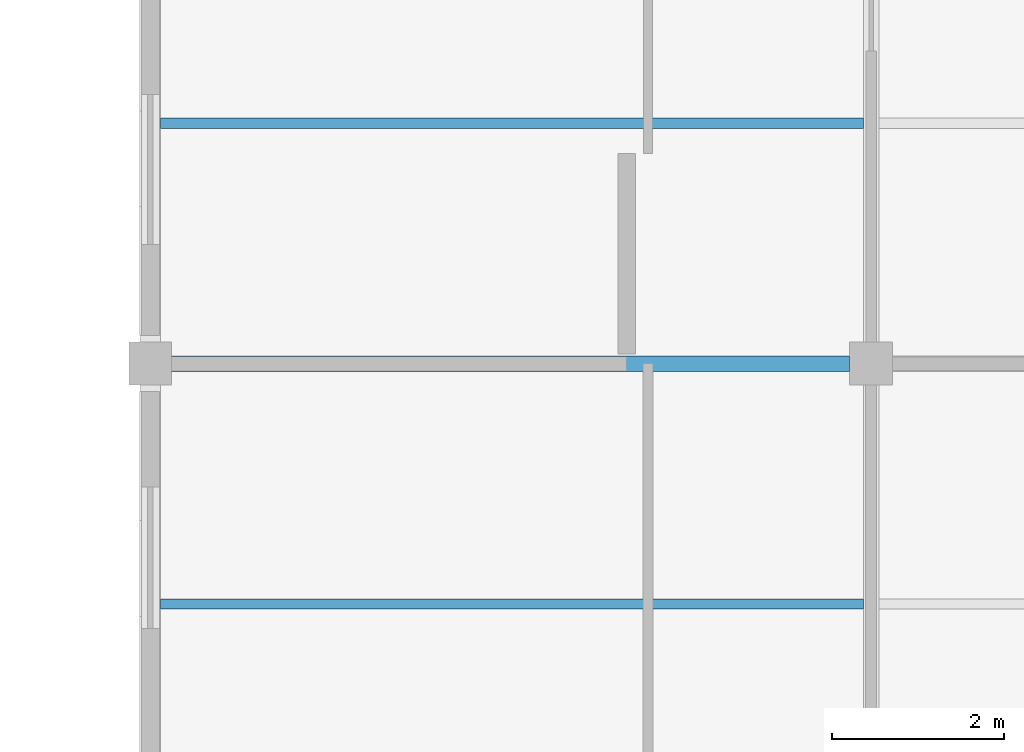
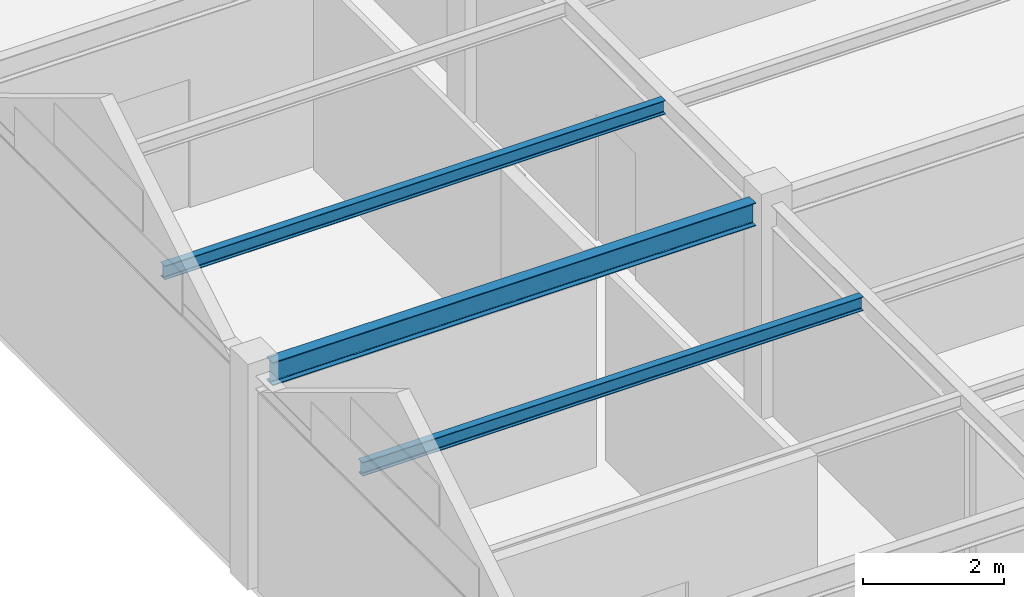
# One storey, part 13 of 45: 3 beams.
"""IFC4 building model written with IfcOpenShell, lengths in metres."""

from ifc_helpers import new_model, si_unit, direction, frame, origin, origin_2d, place, context, subcontext, project, spatial, i_section, extrude, material, material_profile, profile_set, type_object, element, save


model = new_model("IFC4")

# Units and contexts
model_context = context("Model", 3, precision=1e-05, world=origin(), true_north=direction((0.0, 1.0)))
body_context = subcontext(model_context, "Body", "Model", "MODEL_VIEW")
ifc_project = project(units=[si_unit("LENGTHUNIT", "METRE"), si_unit("AREAUNIT", "SQUARE_METRE"), si_unit("VOLUMEUNIT", "CUBIC_METRE"), si_unit("PLANEANGLEUNIT", "RADIAN"), si_unit("MASSUNIT", "GRAM", prefix="KILO")], contexts=[model_context])

# Site, building, storey
site_placement = place(None, origin())
site = spatial("IfcSite", under=ifc_project, at=site_placement, CompositionType="ELEMENT")
building_placement = place(site_placement, origin())
building = spatial("IfcBuilding", under=site, at=building_placement, Name="Bramfleet General Hospital", CompositionType="ELEMENT")
storey_placement = place(building_placement, frame((0.0, 0.0, 30.300048828125)))
storey = spatial("IfcBuildingStorey", under=building, at=storey_placement, Name="L07", CompositionType="ELEMENT", Elevation=30.300048828125)

# Beams
ifc_material = material(Name="Steel S355", Category="steel")
ifc_material_profile_1 = material_profile(ifc_material, i_section(OverallWidth=0.1201171875, OverallDepth=0.239990234375, WebThickness=0.006103515625, FlangeThickness=0.009765625, FilletRadius=0.014892578125, at=origin_2d()), Name="IPE 240")
ifc_profile_set_1 = profile_set([ifc_material_profile_1], Name="Steel S355")
beam_type_1 = type_object("IfcBeamType", Name="BM-IPE240", PredefinedType="JOIST", material=ifc_profile_set_1)
for number, where, z_axis, x_axis, name in (
    (1, (92.52001953125, 81.199951171875, 3.5400390625), (1.0, 0.0, 0.0), (0.0, 1.0, 0.0), "L07 Secondary Joist 11-09-2"),
    (2, (92.52001953125, 86.800048828125, 3.5400390625), (1.0, 0.0, 0.0), (0.0, 1.0, 0.0), "L07 Secondary Joist 11-10-1"),
):
    element("IfcBeam", number, at=place(storey_placement, frame(where, z_axis=z_axis, x_axis=x_axis)), inside=storey, type_object=beam_type_1, Name=name, PredefinedType="JOIST", context=body_context, shape_type="SweptSolid", body=[
        extrude(i_section(OverallWidth=0.1201171875, OverallDepth=0.239990234375, WebThickness=0.006103515625, FlangeThickness=0.009765625, FilletRadius=0.014892578125, at=origin_2d()), origin(), (0.0, 0.0, 1.0), 8.18994140625),
    ])
ifc_material_profile_2 = material_profile(ifc_material, i_section(OverallWidth=0.179931640625, OverallDepth=0.39990234375, WebThickness=0.008544921875, FlangeThickness=0.013427734375, FilletRadius=0.02099609375, at=origin_2d()), Name="IPE 400")
ifc_profile_set_2 = profile_set([ifc_material_profile_2], Name="Steel S355")
beam_type_2 = type_object("IfcBeamType", Name="BM-IPE400", PredefinedType="BEAM", material=ifc_profile_set_2)
beam_placement = place(storey_placement, frame((92.64990234375, 84.0, 3.4599609375), z_axis=(1.0, 0.0, 0.0), x_axis=(0.0, 1.0, 0.0)))
element("IfcBeam", 3, at=beam_placement, inside=storey, type_object=beam_type_2, Name="L07 Grid Beam X 11-10", PredefinedType="BEAM", context=body_context, shape_type="SweptSolid", body=[
    extrude(i_section(OverallWidth=0.179931640625, OverallDepth=0.39990234375, WebThickness=0.008544921875, FlangeThickness=0.013427734375, FilletRadius=0.02099609375, at=origin_2d()), origin(), (0.0, 0.0, 1.0), 7.900146484375),
])

save(model, "model.ifc")
